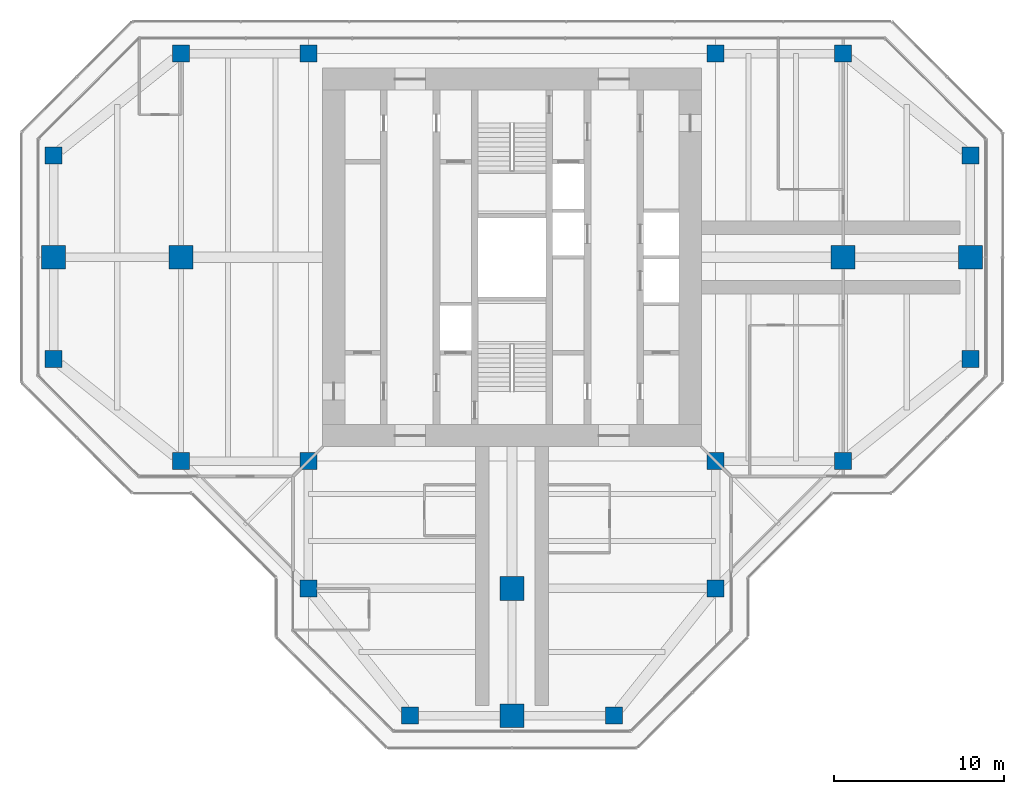
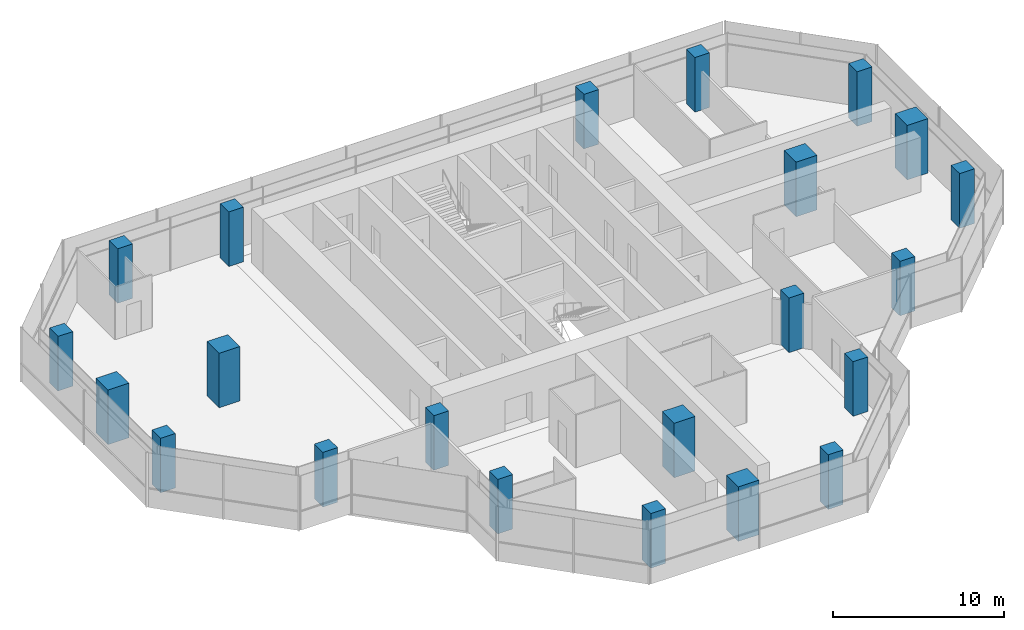
# One storey, part 1 of 15: 22 columns.
"""IFC4 building model written with IfcOpenShell, lengths in metres."""

from ifc_helpers import new_model, si_unit, direction, frame, origin, origin_2d, place, context, subcontext, project, spatial, rectangle, extrude, material, material_profile, profile_set, type_object, element, save


model = new_model("IFC4")

# Units and contexts
model_context = context("Model", 3, precision=1e-05, world=origin(), true_north=direction((0.0, 1.0)))
body_context = subcontext(model_context, "Body", "Model", "MODEL_VIEW")
ifc_project = project(units=[si_unit("LENGTHUNIT", "METRE"), si_unit("AREAUNIT", "SQUARE_METRE"), si_unit("VOLUMEUNIT", "CUBIC_METRE"), si_unit("PLANEANGLEUNIT", "RADIAN"), si_unit("MASSUNIT", "GRAM", prefix="KILO")], contexts=[model_context])

# Site, building, storey
site_placement = place(None, origin())
site = spatial("IfcSite", under=ifc_project, at=site_placement, CompositionType="ELEMENT")
building_placement = place(site_placement, origin())
building = spatial("IfcBuilding", under=site, at=building_placement, Name="Mizan Broadcast Tower", CompositionType="ELEMENT")
storey_placement = place(building_placement, frame((0.0, 0.0, 271.199951171875)))
storey = spatial("IfcBuildingStorey", under=building, at=storey_placement, Name="L64", CompositionType="ELEMENT", Elevation=271.199951171875)

# Columns
ifc_material_1 = material(Name="Concrete C70/85", Category="concrete")
ifc_material_profile_1 = material_profile(ifc_material_1, rectangle(XDim=1.0, YDim=1.0, at=origin_2d()), Name="RC 1000x1000")
ifc_profile_set_1 = profile_set([ifc_material_profile_1], Name="Concrete C70/85")
column_type_1 = type_object("IfcColumnType", Name="RC COLUMN 1000x1000 C70/85", PredefinedType="COLUMN", material=ifc_profile_set_1)
for number, where, z_axis, x_axis, name in (
    (1, (-6.0, -27.0, 0.0), (0.0, 0.0, 1.0), (1.0, 0.0, 0.0), "Column 5/B L64"),
    (2, (6.0, -27.0, 0.0), (0.0, 0.0, 1.0), (1.0, 0.0, 0.0), "Column 7/B L64"),
    (3, (-12.0, -19.5, 0.0), (0.0, 0.0, 1.0), (1.0, 0.0, 0.0), "Column 4/C L64"),
    (4, (12.0, -19.5, 0.0), (0.0, 0.0, 1.0), (1.0, 0.0, 0.0), "Column 8/C L64"),
    (5, (-19.5, -12.0, 0.0), (0.0, 0.0, 1.0), (1.0, 0.0, 0.0), "Column 3/D L64"),
    (6, (-12.0, -12.0, 0.0), (0.0, 0.0, 1.0), (1.0, 0.0, 0.0), "Column 4/D L64"),
    (7, (12.0, -12.0, 0.0), (0.0, 0.0, 1.0), (1.0, 0.0, 0.0), "Column 8/D L64"),
    (8, (19.5, -12.0, 0.0), (0.0, 0.0, 1.0), (1.0, 0.0, 0.0), "Column 9/D L64"),
    (9, (-27.0, -6.0, 0.0), (0.0, 0.0, 1.0), (1.0, 0.0, 0.0), "Column 2/E L64"),
    (10, (27.0, -6.0, 0.0), (0.0, 0.0, 1.0), (1.0, 0.0, 0.0), "Column 10/E L64"),
    (11, (-27.0, 6.0, 0.0), (0.0, 0.0, 1.0), (1.0, 0.0, 0.0), "Column 2/G L64"),
    (12, (27.0, 6.0, 0.0), (0.0, 0.0, 1.0), (1.0, 0.0, 0.0), "Column 10/G L64"),
    (13, (-19.5, 12.0, 0.0), (0.0, 0.0, 1.0), (1.0, 0.0, 0.0), "Column 3/H L64"),
    (14, (-12.0, 12.0, 0.0), (0.0, 0.0, 1.0), (1.0, 0.0, 0.0), "Column 4/H L64"),
    (15, (12.0, 12.0, 0.0), (0.0, 0.0, 1.0), (1.0, 0.0, 0.0), "Column 8/H L64"),
    (16, (19.5, 12.0, 0.0), (0.0, 0.0, 1.0), (1.0, 0.0, 0.0), "Column 9/H L64"),
):
    element("IfcColumn", number, at=place(storey_placement, frame(where, z_axis=z_axis, x_axis=x_axis)), inside=storey, type_object=column_type_1, Name=name, PredefinedType="COLUMN", context=body_context, shape_type="SweptSolid", body=[
        extrude(rectangle(XDim=1.0, YDim=1.0, at=origin_2d()), origin(), (0.0, 0.0, 1.0), 3.900146484375),
    ])
ifc_material_2 = material(Name="Concrete C70/85", Category="concrete")
ifc_material_profile_2 = material_profile(ifc_material_2, rectangle(XDim=1.39990234375, YDim=1.39990234375, at=origin_2d()), Name="RC 1400x1400")
ifc_profile_set_2 = profile_set([ifc_material_profile_2], Name="Concrete C70/85")
column_type_2 = type_object("IfcColumnType", Name="RC COLUMN 1400x1400 C70/85", PredefinedType="COLUMN", material=ifc_profile_set_2)
for number, where, z_axis, x_axis, name in (
    (17, (0.0, -27.0, 0.0), (0.0, 0.0, 1.0), (1.0, 0.0, 0.0), "Column 6/B L64"),
    (18, (0.0, -19.5, 0.0), (0.0, 0.0, 1.0), (1.0, 0.0, 0.0), "Column 6/C L64"),
    (19, (-27.0, 0.0, 0.0), (0.0, 0.0, 1.0), (1.0, 0.0, 0.0), "Column 2/F L64"),
    (20, (-19.5, 0.0, 0.0), (0.0, 0.0, 1.0), (1.0, 0.0, 0.0), "Column 3/F L64"),
    (21, (19.5, 0.0, 0.0), (0.0, 0.0, 1.0), (1.0, 0.0, 0.0), "Column 9/F L64"),
    (22, (27.0, 0.0, 0.0), (0.0, 0.0, 1.0), (1.0, 0.0, 0.0), "Column 10/F L64"),
):
    element("IfcColumn", number, at=place(storey_placement, frame(where, z_axis=z_axis, x_axis=x_axis)), inside=storey, type_object=column_type_2, Name=name, PredefinedType="COLUMN", context=body_context, shape_type="SweptSolid", body=[
        extrude(rectangle(XDim=1.39990234375, YDim=1.39990234375, at=origin_2d()), origin(), (0.0, 0.0, 1.0), 3.900146484375),
    ])

save(model, "model.ifc")
